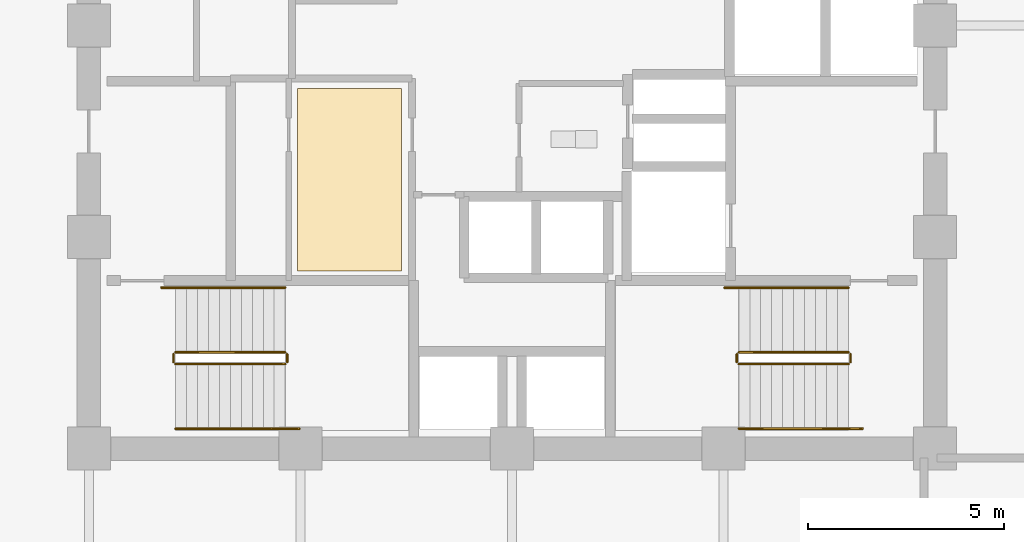
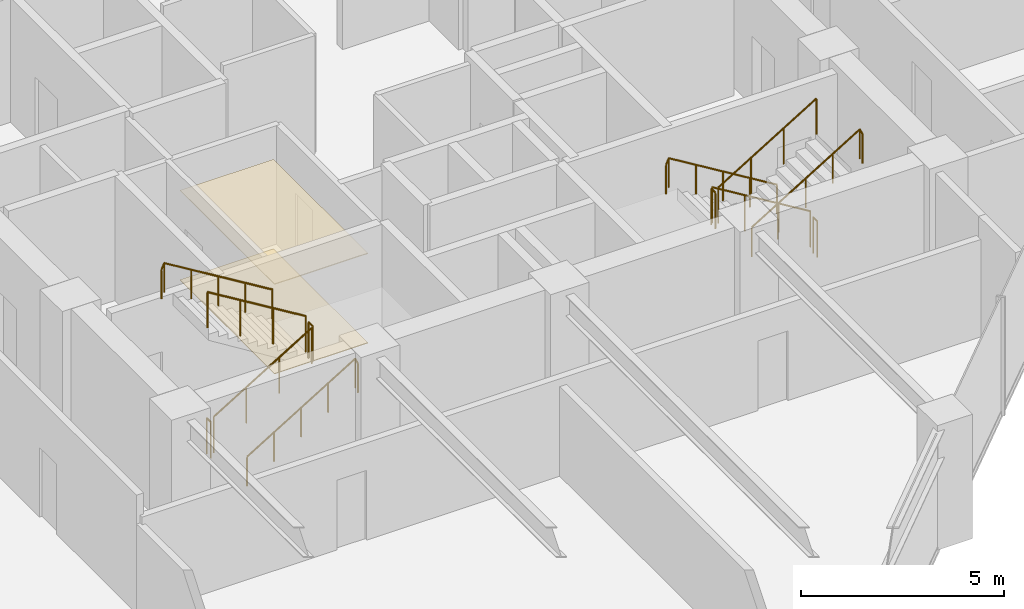
# One storey, part 26 of 29: 12 railings, 2 coverings.
"""IFC4 building model written with IfcOpenShell, lengths in metres."""

from ifc_helpers import new_model, si_unit, direction, frame, origin, origin_2d, place, context, subcontext, project, spatial, polyline, circle, outline, extrude, material, layer, layer_set, type_object, element, save


model = new_model("IFC4")

# Units and contexts
model_context = context("Model", 3, precision=1e-05, world=origin(), true_north=direction((0.0, 1.0)))
body_context = subcontext(model_context, "Body", "Model", "MODEL_VIEW")
ifc_project = project(units=[si_unit("LENGTHUNIT", "METRE"), si_unit("AREAUNIT", "SQUARE_METRE"), si_unit("VOLUMEUNIT", "CUBIC_METRE"), si_unit("PLANEANGLEUNIT", "RADIAN"), si_unit("MASSUNIT", "GRAM", prefix="KILO")], contexts=[model_context])

# Site, building, storey
site_placement = place(None, origin())
site = spatial("IfcSite", under=ifc_project, at=site_placement, CompositionType="ELEMENT")
building_placement = place(site_placement, origin())
building = spatial("IfcBuilding", under=site, at=building_placement, Name="Surkhivell Harbour Commons", CompositionType="ELEMENT")
storey_placement = place(building_placement, frame((0.0, 0.0, 154.5)))
storey = spatial("IfcBuildingStorey", under=building, at=storey_placement, Name="L40", CompositionType="ELEMENT", Elevation=154.5)

# Coverings
ifc_material_1 = material(Name="Perforated acoustic mineral-fibre ceiling tile", Category="other")
ifc_layer_1 = layer(ifc_material_1, 0.02490234375)
ifc_layer_set_1 = layer_set([ifc_layer_1], Name="Perforated acoustic mineral-fibre ceiling tile")
covering_type_1 = type_object("IfcCoveringType", Name="COV-CEIL-AC", PredefinedType="CEILING", material=ifc_layer_set_1)
covering_1_placement = place(storey_placement, frame((0.0, 0.0, 2.694091796875)))
element("IfcCovering", 1, at=covering_1_placement, inside=storey, type_object=covering_type_1, Name="L40 Suspended Acoustic Ceiling 1", PredefinedType="CEILING", context=body_context, shape_type="SweptSolid", body=[
    extrude(outline(polyline([(-5.47998046875, -6.260009765625), (-2.820068359375, -6.260009765625), (-2.820068359375, -1.60009765625), (-5.47998046875, -1.60009765625), (-5.47998046875, -6.260009765625)])), origin(), (0.0, 0.0, 1.0), 0.02490234375),
])
ifc_material_2 = material(Name="Engineered acoustic oak timber flooring", Category="wood")
ifc_layer_2 = layer(ifc_material_2, 0.02001953125)
ifc_layer_set_2 = layer_set([ifc_layer_2], Name="Engineered acoustic oak timber flooring")
covering_type_2 = type_object("IfcCoveringType", Name="COV-FLR-TIM", PredefinedType="FLOORING", material=ifc_layer_set_2)
covering_2_placement = place(storey_placement, origin())
element("IfcCovering", 2, at=covering_2_placement, inside=storey, type_object=covering_type_2, Name="L40 Interior Floor Finish 1", PredefinedType="FLOORING", context=body_context, shape_type="SweptSolid", body=[
    extrude(outline(polyline([(-5.47998046875, -6.260009765625), (-2.820068359375, -6.260009765625), (-2.820068359375, -1.60009765625), (-5.47998046875, -1.60009765625), (-5.47998046875, -6.260009765625)])), origin(), (0.0, 0.0, 1.0), 0.02001953125),
])

# Railings
ifc_material_3 = material(Name="Galvanised and painted steel S355 guard rail", Category="steel")
railing_type_1 = type_object("IfcRailingType", Name="RAL-ST-GRD1100", PredefinedType="GUARDRAIL", material=ifc_material_3)
railing_1_placement = place(storey_placement, frame((8.590087890625, -8.340087890625, 0.17041015625)))
element("IfcRailing", 3, at=railing_1_placement, inside=storey, type_object=railing_type_1, Name="L40 ST2 stair guard 1", PredefinedType="GUARDRAIL", context=body_context, shape_type="SweptSolid", body=[
    extrude(circle(Radius=0.02392578125, at=origin_2d()), frame((0.0, 0.0, 1.076171875), z_axis=(-0.854169791009, 0.0, 0.51999420009), x_axis=(0.0, -1.0, 0.0)), (0.0, 0.0, 1.0), 3.278076171875),
    extrude(circle(Radius=0.02099609375, at=origin_2d()), origin(), (0.0, 0.0, 1.0), 1.052001953125),
    extrude(circle(Radius=0.02099609375, at=origin_2d()), frame((-0.933349609375, 0.0, 0.568115234375)), (0.0, 0.0, 1.0), 1.052001953125),
    extrude(circle(Radius=0.02099609375, at=origin_2d()), frame((-1.86669921875, 0.0, 1.136474609375)), (0.0, 0.0, 1.0), 1.052001953125),
    extrude(circle(Radius=0.02099609375, at=origin_2d()), frame((-2.800048828125, 0.0, 1.70458984375)), (0.0, 0.0, 1.0), 1.052001953125),
])
railing_2_placement = place(storey_placement, frame((5.739990234375, -8.389892578125, 1.875)))
element("IfcRailing", 4, at=railing_2_placement, inside=storey, type_object=railing_type_1, Name="L40 ST2 stair guard 2", PredefinedType="GUARDRAIL", context=body_context, shape_type="SweptSolid", body=[
    extrude(circle(Radius=0.02392578125, at=origin_2d()), frame((0.0, 0.0, 1.076171875), z_axis=(0.0, -1.0, 0.0), x_axis=(1.0, 0.0, 0.0)), (0.0, 0.0, 1.0), 0.2001953125),
    extrude(circle(Radius=0.02099609375, at=origin_2d()), origin(), (0.0, 0.0, 1.0), 1.052001953125),
    extrude(circle(Radius=0.02099609375, at=origin_2d()), frame((0.0, -0.2001953125, 0.0)), (0.0, 0.0, 1.0), 1.052001953125),
])
railing_3_placement = place(storey_placement, frame((5.7900390625, -8.639892578125, 2.04541015625)))
element("IfcRailing", 5, at=railing_3_placement, inside=storey, type_object=railing_type_1, Name="L40 ST2 stair guard 3", PredefinedType="GUARDRAIL", context=body_context, shape_type="SweptSolid", body=[
    extrude(circle(Radius=0.02392578125, at=origin_2d()), frame((0.0, 0.0, 1.076171875), z_axis=(0.854169791009, 0.0, 0.51999420009), x_axis=(0.0, 1.0, 0.0)), (0.0, 0.0, 1.0), 3.278076171875),
    extrude(circle(Radius=0.02099609375, at=origin_2d()), origin(), (0.0, 0.0, 1.0), 1.052001953125),
    extrude(circle(Radius=0.02099609375, at=origin_2d()), frame((0.933349609375, 0.0, 0.568115234375)), (0.0, 0.0, 1.0), 1.052001953125),
    extrude(circle(Radius=0.02099609375, at=origin_2d()), frame((1.86669921875, 0.0, 1.136474609375)), (0.0, 0.0, 1.0), 1.052001953125),
    extrude(circle(Radius=0.02099609375, at=origin_2d()), frame((2.800048828125, 0.0, 1.70458984375)), (0.0, 0.0, 1.0), 1.052001953125),
])
railing_4_placement = place(storey_placement, frame((8.639892578125, -8.389892578125, 0.0)))
element("IfcRailing", 6, at=railing_4_placement, inside=storey, type_object=railing_type_1, Name="L40 ST2 stair guard 4", PredefinedType="GUARDRAIL", context=body_context, shape_type="SweptSolid", body=[
    extrude(circle(Radius=0.02392578125, at=origin_2d()), frame((0.0, 0.0, 1.076171875), z_axis=(0.0, -1.0, 0.0), x_axis=(1.0, 0.0, 0.0)), (0.0, 0.0, 1.0), 0.2001953125),
    extrude(circle(Radius=0.02099609375, at=origin_2d()), origin(), (0.0, 0.0, 1.0), 1.052001953125),
    extrude(circle(Radius=0.02099609375, at=origin_2d()), frame((0.0, -0.2001953125, 0.0)), (0.0, 0.0, 1.0), 1.052001953125),
])
railing_5_placement = place(storey_placement, frame((-8.590087890625, -8.639892578125, 0.17041015625)))
element("IfcRailing", 7, at=railing_5_placement, inside=storey, type_object=railing_type_1, Name="L40 ST3 stair guard 1", PredefinedType="GUARDRAIL", context=body_context, shape_type="SweptSolid", body=[
    extrude(circle(Radius=0.02392578125, at=origin_2d()), frame((0.0, 0.0, 1.076171875), z_axis=(0.854169791009, 0.0, 0.51999420009), x_axis=(0.0, 1.0, 0.0)), (0.0, 0.0, 1.0), 3.278076171875),
    extrude(circle(Radius=0.02099609375, at=origin_2d()), origin(), (0.0, 0.0, 1.0), 1.052001953125),
    extrude(circle(Radius=0.02099609375, at=origin_2d()), frame((0.933349609375, 0.0, 0.568115234375)), (0.0, 0.0, 1.0), 1.052001953125),
    extrude(circle(Radius=0.02099609375, at=origin_2d()), frame((1.86669921875, 0.0, 1.136474609375)), (0.0, 0.0, 1.0), 1.052001953125),
    extrude(circle(Radius=0.02099609375, at=origin_2d()), frame((2.800048828125, 0.0, 1.70458984375)), (0.0, 0.0, 1.0), 1.052001953125),
])
railing_6_placement = place(storey_placement, frame((-5.739990234375, -8.590087890625, 1.875)))
element("IfcRailing", 8, at=railing_6_placement, inside=storey, type_object=railing_type_1, Name="L40 ST3 stair guard 2", PredefinedType="GUARDRAIL", context=body_context, shape_type="SweptSolid", body=[
    extrude(circle(Radius=0.02392578125, at=origin_2d()), frame((0.0, 0.0, 1.076171875), z_axis=(0.0, 1.0, 0.0), x_axis=(-1.0, 0.0, 0.0)), (0.0, 0.0, 1.0), 0.2001953125),
    extrude(circle(Radius=0.02099609375, at=origin_2d()), origin(), (0.0, 0.0, 1.0), 1.052001953125),
    extrude(circle(Radius=0.02099609375, at=origin_2d()), frame((0.0, 0.2001953125, 0.0)), (0.0, 0.0, 1.0), 1.052001953125),
])
railing_7_placement = place(storey_placement, frame((-5.7900390625, -8.340087890625, 2.04541015625)))
element("IfcRailing", 9, at=railing_7_placement, inside=storey, type_object=railing_type_1, Name="L40 ST3 stair guard 3", PredefinedType="GUARDRAIL", context=body_context, shape_type="SweptSolid", body=[
    extrude(circle(Radius=0.02392578125, at=origin_2d()), frame((0.0, 0.0, 1.076171875), z_axis=(-0.854169791009, 0.0, 0.51999420009), x_axis=(0.0, -1.0, 0.0)), (0.0, 0.0, 1.0), 3.278076171875),
    extrude(circle(Radius=0.02099609375, at=origin_2d()), origin(), (0.0, 0.0, 1.0), 1.052001953125),
    extrude(circle(Radius=0.02099609375, at=origin_2d()), frame((-0.933349609375, 0.0, 0.568115234375)), (0.0, 0.0, 1.0), 1.052001953125),
    extrude(circle(Radius=0.02099609375, at=origin_2d()), frame((-1.86669921875, 0.0, 1.136474609375)), (0.0, 0.0, 1.0), 1.052001953125),
    extrude(circle(Radius=0.02099609375, at=origin_2d()), frame((-2.800048828125, 0.0, 1.70458984375)), (0.0, 0.0, 1.0), 1.052001953125),
])
railing_8_placement = place(storey_placement, frame((-8.639892578125, -8.590087890625, 0.0)))
element("IfcRailing", 10, at=railing_8_placement, inside=storey, type_object=railing_type_1, Name="L40 ST3 stair guard 4", PredefinedType="GUARDRAIL", context=body_context, shape_type="SweptSolid", body=[
    extrude(circle(Radius=0.02392578125, at=origin_2d()), frame((0.0, 0.0, 1.076171875), z_axis=(0.0, 1.0, 0.0), x_axis=(-1.0, 0.0, 0.0)), (0.0, 0.0, 1.0), 0.2001953125),
    extrude(circle(Radius=0.02099609375, at=origin_2d()), origin(), (0.0, 0.0, 1.0), 1.052001953125),
    extrude(circle(Radius=0.02099609375, at=origin_2d()), frame((0.0, 0.2001953125, 0.0)), (0.0, 0.0, 1.0), 1.052001953125),
])
ifc_material_4 = material(Name="Brushed stainless steel S355 handrail", Category="steel")
railing_type_2 = type_object("IfcRailingType", Name="RAL-ST-HND900", PredefinedType="HANDRAIL", material=ifc_material_4)
railing_9_placement = place(storey_placement, frame((8.590087890625, -6.68994140625, 0.17041015625)))
element("IfcRailing", 11, at=railing_9_placement, inside=storey, type_object=railing_type_2, Name="L40 ST2 stair handrail 1", PredefinedType="HANDRAIL", context=body_context, shape_type="SweptSolid", body=[
    extrude(circle(Radius=0.02392578125, at=origin_2d()), frame((0.0, 0.0, 0.8759765625), z_axis=(-0.854177636135, 0.0, 0.519981313056), x_axis=(0.0, -1.0, 0.0)), (0.0, 0.0, 1.0), 3.60595703125),
    extrude(circle(Radius=0.02392578125, at=origin_2d()), frame((-3.080078125, 0.0, 2.7509765625), z_axis=(-0.425297416671, 0.0, -0.905053648892), x_axis=(0.0, -1.0, 0.0)), (0.0, 0.0, 1.0), 0.188232421875),
    extrude(circle(Radius=0.02099609375, at=origin_2d()), origin(), (0.0, 0.0, 1.0), 0.851806640625),
    extrude(circle(Radius=0.02099609375, at=origin_2d()), frame((-0.77001953125, 0.0, 0.46875)), (0.0, 0.0, 1.0), 0.851806640625),
    extrude(circle(Radius=0.02099609375, at=origin_2d()), frame((-1.5400390625, 0.0, 0.9375)), (0.0, 0.0, 1.0), 0.851806640625),
    extrude(circle(Radius=0.02099609375, at=origin_2d()), frame((-2.31005859375, 0.0, 1.40625)), (0.0, 0.0, 1.0), 0.851806640625),
    extrude(circle(Radius=0.02099609375, at=origin_2d()), frame((-3.080078125, 0.0, 1.875)), (0.0, 0.0, 1.0), 0.851806640625),
    extrude(circle(Radius=0.02099609375, at=origin_2d()), frame((-3.16015625, 0.0, 1.70458984375)), (0.0, 0.0, 1.0), 0.851806640625),
])
railing_10_placement = place(storey_placement, frame((5.7900390625, -10.2900390625, 2.04541015625)))
element("IfcRailing", 12, at=railing_10_placement, inside=storey, type_object=railing_type_2, Name="L40 ST2 stair handrail 2", PredefinedType="HANDRAIL", context=body_context, shape_type="SweptSolid", body=[
    extrude(circle(Radius=0.02392578125, at=origin_2d()), frame((0.0, 0.0, 0.8759765625), z_axis=(0.854177636135, 0.0, 0.519981313056), x_axis=(0.0, 1.0, 0.0)), (0.0, 0.0, 1.0), 3.60595703125),
    extrude(circle(Radius=0.02392578125, at=origin_2d()), frame((3.080078125, 0.0, 2.7509765625), z_axis=(0.424234432967, 0.0, -0.905552398199), x_axis=(0.0, 1.0, 0.0)), (0.0, 0.0, 1.0), 0.188232421875),
    extrude(circle(Radius=0.02099609375, at=origin_2d()), origin(), (0.0, 0.0, 1.0), 0.851806640625),
    extrude(circle(Radius=0.02099609375, at=origin_2d()), frame((0.77001953125, 0.0, 0.46875)), (0.0, 0.0, 1.0), 0.851806640625),
    extrude(circle(Radius=0.02099609375, at=origin_2d()), frame((1.5400390625, 0.0, 0.9375)), (0.0, 0.0, 1.0), 0.851806640625),
    extrude(circle(Radius=0.02099609375, at=origin_2d()), frame((2.31005859375, 0.0, 1.40625)), (0.0, 0.0, 1.0), 0.851806640625),
    extrude(circle(Radius=0.02099609375, at=origin_2d()), frame((3.080078125, 0.0, 1.875)), (0.0, 0.0, 1.0), 0.851806640625),
    extrude(circle(Radius=0.02099609375, at=origin_2d()), frame((3.159912109375, 0.0, 1.70458984375)), (0.0, 0.0, 1.0), 0.851806640625),
])
railing_11_placement = place(storey_placement, frame((-8.590087890625, -10.2900390625, 0.17041015625)))
element("IfcRailing", 13, at=railing_11_placement, inside=storey, type_object=railing_type_2, Name="L40 ST3 stair handrail 1", PredefinedType="HANDRAIL", context=body_context, shape_type="SweptSolid", body=[
    extrude(circle(Radius=0.02392578125, at=origin_2d()), frame((0.0, 0.0, 0.8759765625), z_axis=(0.854177636135, 0.0, 0.519981313056), x_axis=(0.0, 1.0, 0.0)), (0.0, 0.0, 1.0), 3.60595703125),
    extrude(circle(Radius=0.02392578125, at=origin_2d()), frame((3.080078125, 0.0, 2.7509765625), z_axis=(0.425297416671, 0.0, -0.905053648892), x_axis=(0.0, 1.0, 0.0)), (0.0, 0.0, 1.0), 0.188232421875),
    extrude(circle(Radius=0.02099609375, at=origin_2d()), origin(), (0.0, 0.0, 1.0), 0.851806640625),
    extrude(circle(Radius=0.02099609375, at=origin_2d()), frame((0.77001953125, 0.0, 0.46875)), (0.0, 0.0, 1.0), 0.851806640625),
    extrude(circle(Radius=0.02099609375, at=origin_2d()), frame((1.5400390625, 0.0, 0.9375)), (0.0, 0.0, 1.0), 0.851806640625),
    extrude(circle(Radius=0.02099609375, at=origin_2d()), frame((2.31005859375, 0.0, 1.40625)), (0.0, 0.0, 1.0), 0.851806640625),
    extrude(circle(Radius=0.02099609375, at=origin_2d()), frame((3.080078125, 0.0, 1.875)), (0.0, 0.0, 1.0), 0.851806640625),
    extrude(circle(Radius=0.02099609375, at=origin_2d()), frame((3.16015625, 0.0, 1.70458984375)), (0.0, 0.0, 1.0), 0.851806640625),
])
railing_12_placement = place(storey_placement, frame((-5.7900390625, -6.68994140625, 2.04541015625)))
element("IfcRailing", 14, at=railing_12_placement, inside=storey, type_object=railing_type_2, Name="L40 ST3 stair handrail 2", PredefinedType="HANDRAIL", context=body_context, shape_type="SweptSolid", body=[
    extrude(circle(Radius=0.02392578125, at=origin_2d()), frame((0.0, 0.0, 0.8759765625), z_axis=(-0.854177636135, 0.0, 0.519981313056), x_axis=(0.0, -1.0, 0.0)), (0.0, 0.0, 1.0), 3.60595703125),
    extrude(circle(Radius=0.02392578125, at=origin_2d()), frame((-3.080078125, 0.0, 2.7509765625), z_axis=(-0.424234432967, 0.0, -0.905552398199), x_axis=(0.0, -1.0, 0.0)), (0.0, 0.0, 1.0), 0.188232421875),
    extrude(circle(Radius=0.02099609375, at=origin_2d()), origin(), (0.0, 0.0, 1.0), 0.851806640625),
    extrude(circle(Radius=0.02099609375, at=origin_2d()), frame((-0.77001953125, 0.0, 0.46875)), (0.0, 0.0, 1.0), 0.851806640625),
    extrude(circle(Radius=0.02099609375, at=origin_2d()), frame((-1.5400390625, 0.0, 0.9375)), (0.0, 0.0, 1.0), 0.851806640625),
    extrude(circle(Radius=0.02099609375, at=origin_2d()), frame((-2.31005859375, 0.0, 1.40625)), (0.0, 0.0, 1.0), 0.851806640625),
    extrude(circle(Radius=0.02099609375, at=origin_2d()), frame((-3.080078125, 0.0, 1.875)), (0.0, 0.0, 1.0), 0.851806640625),
    extrude(circle(Radius=0.02099609375, at=origin_2d()), frame((-3.159912109375, 0.0, 1.70458984375)), (0.0, 0.0, 1.0), 0.851806640625),
])

save(model, "model.ifc")
